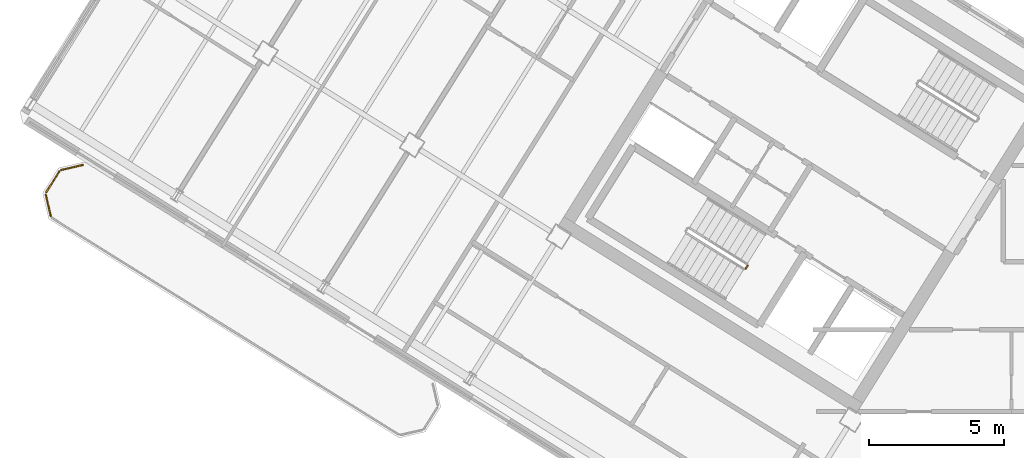
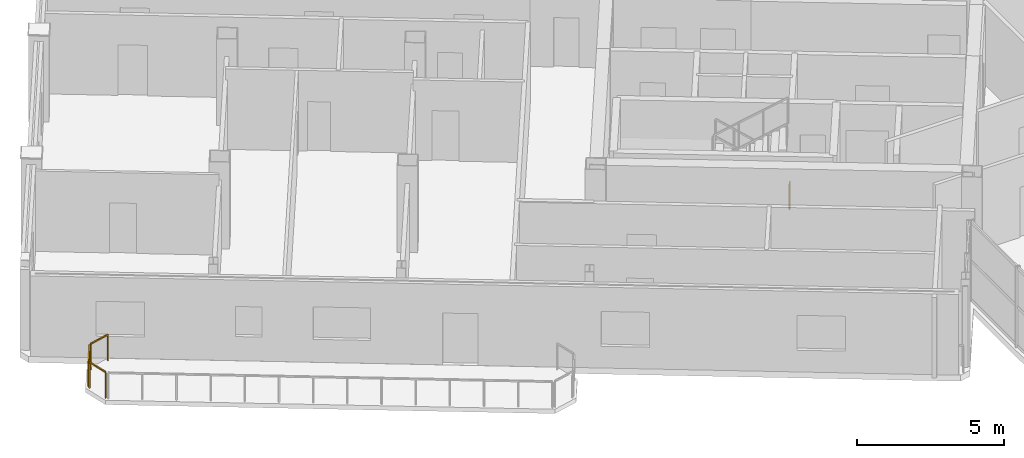
# One storey, part 13 of 17: 4 railings.
"""IFC4 building model written with IfcOpenShell, lengths in metres."""

from ifc_helpers import new_model, si_unit, direction, frame, origin, origin_2d, place, context, subcontext, project, spatial, rectangle, extrude, source, transform, mapped, material, type_object, element, save


model = new_model("IFC4")

# Units and contexts
model_context = context("Model", 3, precision=1e-05, world=origin(), true_north=direction((0.0, 1.0)))
body_context = subcontext(model_context, "Body", "Model", "MODEL_VIEW")
ifc_project = project(units=[si_unit("LENGTHUNIT", "METRE"), si_unit("AREAUNIT", "SQUARE_METRE"), si_unit("VOLUMEUNIT", "CUBIC_METRE"), si_unit("PLANEANGLEUNIT", "RADIAN"), si_unit("MASSUNIT", "GRAM", prefix="KILO")], contexts=[model_context])

# Site, building, storey
site_placement = place(None, origin())
site = spatial("IfcSite", under=ifc_project, at=site_placement, CompositionType="ELEMENT")
building_placement = place(site_placement, origin())
building = spatial("IfcBuilding", under=site, at=building_placement, Name="Tlacorven Tower", CompositionType="ELEMENT")
storey_placement = place(building_placement, frame((0.0, 0.0, 277.199951171875)))
storey = spatial("IfcBuildingStorey", under=building, at=storey_placement, Name="L70", CompositionType="ELEMENT", Elevation=277.199951171875)

# Railings
ifc_material = material(Name="Aluminium and painted steel balustrade", Category="steel")
railing_type_1 = type_object("IfcRailingType", Name="RL-BAL-1100", PredefinedType="BALUSTRADE", material=ifc_material)
shared_shape_1 = source(origin(), body_context, "Body", "SweptSolid", [
    extrude(rectangle(XDim=0.048095703125, YDim=0.048095703125, at=origin_2d()), frame((0.0, 0.0, 1.076171875), z_axis=(-0.225058334816, 0.974345290916, 0.0), x_axis=(-0.974345290916, -0.225058334816, 0.0)), (0.0, 0.0, 1.0), 0.80712890625),
    extrude(rectangle(XDim=0.0419921875, YDim=0.0419921875, at=origin_2d()), origin(), (0.0, 0.0, 1.0), 1.052001953125),
    extrude(rectangle(XDim=0.0419921875, YDim=0.0419921875, at=origin_2d()), frame((-0.181640625, 0.786376953125, 0.0)), (0.0, 0.0, 1.0), 1.052001953125),
])
railing_1_placement = place(storey_placement, frame((3.380859375, 19.62841796875, 0.0)))
element("IfcRailing", 1, at=railing_1_placement, inside=storey, type_object=railing_type_1, Name="BAL-L70-W-OUT Guard Railing 5", PredefinedType="BALUSTRADE", context=body_context, shape_type="MappedRepresentation", body=[
    mapped(shared_shape_1, transform((0.0, 0.0, 0.0), scale=1.0)),
])
shared_shape_2 = source(origin(), body_context, "Body", "SweptSolid", [
    extrude(rectangle(XDim=0.048095703125, YDim=0.048095703125, at=origin_2d()), frame((0.0, 0.0, 1.076171875), z_axis=(0.52987865805, 0.848073468364, 0.0), x_axis=(-0.848073468364, 0.52987865805, 0.0)), (0.0, 0.0, 1.0), 0.912353515625),
    extrude(rectangle(XDim=0.0419921875, YDim=0.0419921875, at=origin_2d()), origin(), (0.0, 0.0, 1.0), 1.052001953125),
    extrude(rectangle(XDim=0.0419921875, YDim=0.0419921875, at=origin_2d()), frame((0.4833984375, 0.773681640625, 0.0)), (0.0, 0.0, 1.0), 1.052001953125),
])
railing_2_placement = place(storey_placement, frame((3.214599609375, 20.505859375, 0.0)))
element("IfcRailing", 2, at=railing_2_placement, inside=storey, type_object=railing_type_1, Name="BAL-L70-W-OUT Guard Railing 6", PredefinedType="BALUSTRADE", context=body_context, shape_type="MappedRepresentation", body=[
    mapped(shared_shape_2, transform((0.0, 0.0, 0.0), scale=1.0)),
])
shared_shape_3 = source(origin(), body_context, "Body", "SweptSolid", [
    extrude(rectangle(XDim=0.048095703125, YDim=0.048095703125, at=origin_2d()), frame((0.0, 0.0, 1.076171875), z_axis=(0.974345290916, 0.225058334816, 0.0), x_axis=(-0.225058334816, 0.974345290916, 0.0)), (0.0, 0.0, 1.0), 0.80712890625),
    extrude(rectangle(XDim=0.0419921875, YDim=0.0419921875, at=origin_2d()), origin(), (0.0, 0.0, 1.0), 1.052001953125),
    extrude(rectangle(XDim=0.0419921875, YDim=0.0419921875, at=origin_2d()), frame((0.786376953125, 0.181640625, 0.0)), (0.0, 0.0, 1.0), 1.052001953125),
])
railing_3_placement = place(storey_placement, frame((3.773193359375, 21.3330078125, 0.0)))
element("IfcRailing", 3, at=railing_3_placement, inside=storey, type_object=railing_type_1, Name="BAL-L70-W-OUT Guard Railing 7", PredefinedType="BALUSTRADE", context=body_context, shape_type="MappedRepresentation", body=[
    mapped(shared_shape_3, transform((0.0, 0.0, 0.0), scale=1.0)),
])
railing_type_2 = type_object("IfcRailingType", Name="RL-GRD-1100", PredefinedType="GUARDRAIL", material=ifc_material)
shared_shape_4 = source(origin(), body_context, "Body", "SweptSolid", [
    extrude(rectangle(XDim=0.048095703125, YDim=0.048095703125, at=origin_2d()), frame((0.0, 0.0, 1.076171875), z_axis=(-0.529084052582, -0.848569422795, 0.0), x_axis=(0.848569422795, -0.529084052582, 0.0)), (0.0, 0.0, 1.0), 0.119873046875),
    extrude(rectangle(XDim=0.0419921875, YDim=0.0419921875, at=origin_2d()), origin(), (0.0, 0.0, 1.0), 1.052001953125),
    extrude(rectangle(XDim=0.0419921875, YDim=0.0419921875, at=origin_2d()), frame((-0.0634765625, -0.101806640625, 0.0)), (0.0, 0.0, 1.0), 1.052001953125),
])
railing_4_placement = place(storey_placement, frame((29.176513671875, 17.782958984375, 0.0)))
element("IfcRailing", 4, at=railing_4_placement, inside=storey, type_object=railing_type_2, Name="L70 ST-W1 stair guard 4", PredefinedType="GUARDRAIL", context=body_context, shape_type="MappedRepresentation", body=[
    mapped(shared_shape_4, transform((0.0, 0.0, 0.0), scale=1.0)),
])

save(model, "model.ifc")
